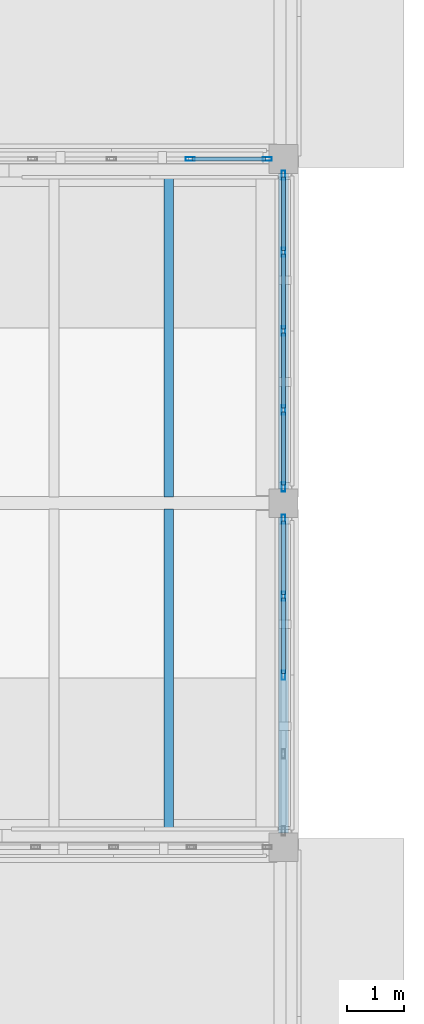
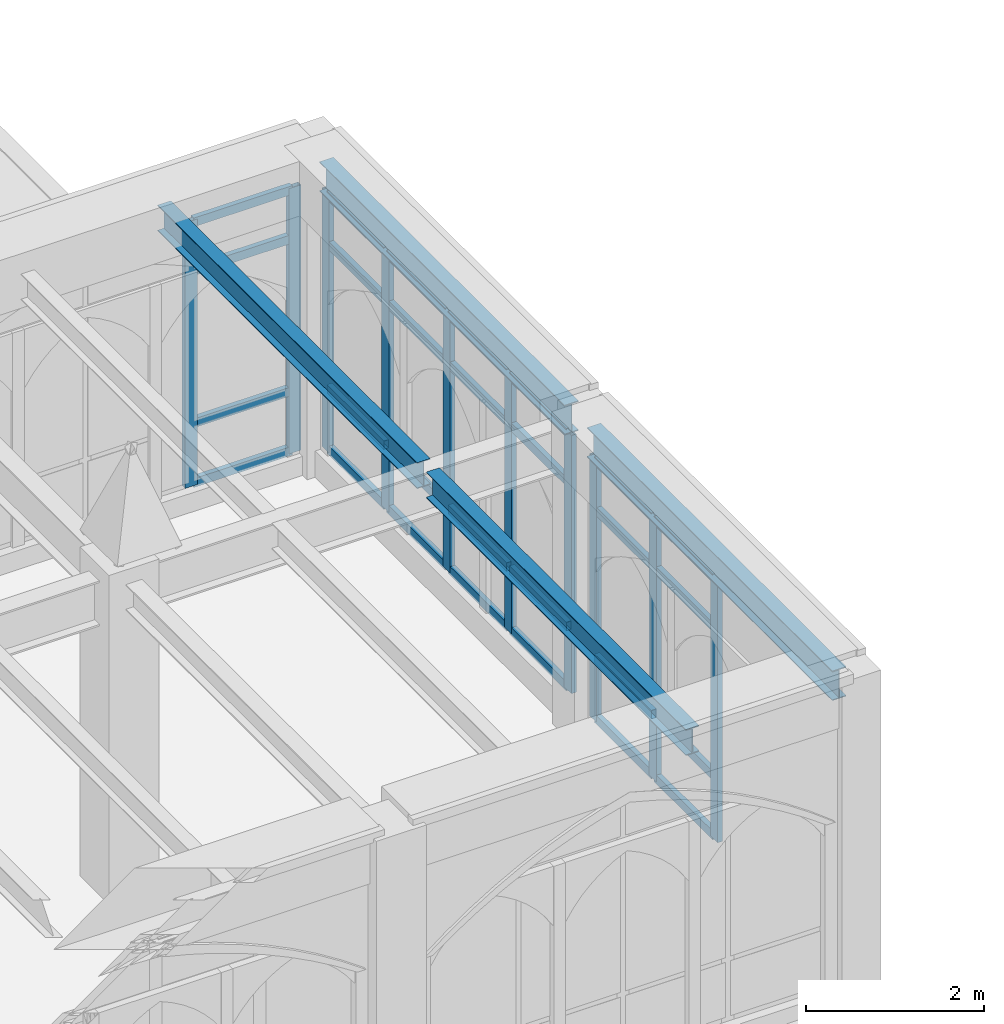
# One storey, part 80 of 143: 38 members, 4 beams, 3 elements without a shape of their own.
"""IFC4 building model written with IfcOpenShell, lengths in metres."""

from ifc_helpers import new_model, si_unit, direction, frame, origin, origin_2d, place, context, subcontext, project, spatial, hollow_rectangle, i_section, extrude, material, layer, layer_set, material_profile, profile_set, type_object, element, aggregate, save


model = new_model("IFC4")

# Units and contexts
model_context = context("Model", 3, precision=1e-05, world=origin(), true_north=direction((0.0, 1.0)))
body_context = subcontext(model_context, "Body", "Model", "MODEL_VIEW")
ifc_project = project(units=[si_unit("LENGTHUNIT", "METRE"), si_unit("AREAUNIT", "SQUARE_METRE"), si_unit("VOLUMEUNIT", "CUBIC_METRE"), si_unit("PLANEANGLEUNIT", "RADIAN"), si_unit("MASSUNIT", "GRAM", prefix="KILO")], contexts=[model_context])

# Site, building, storey
site_placement = place(None, origin())
site = spatial("IfcSite", under=ifc_project, at=site_placement, CompositionType="ELEMENT")
building_placement = place(site_placement, origin())
building = spatial("IfcBuilding", under=site, at=building_placement, Name="Cumevento Cable Car Station", CompositionType="ELEMENT")
storey_placement = place(building_placement, frame((0.0, 0.0, 9.0)))
storey = spatial("IfcBuildingStorey", under=building, at=storey_placement, Name="L03", CompositionType="ELEMENT", Elevation=9.0)

# Curtain wall, members
ifc_material_1 = material(Name="Anodised Bronze Aluminium AW-6063-T6", Category="aluminium")
ifc_layer_1 = layer(ifc_material_1, 0.219970703125)
ifc_layer_set_1 = layer_set([ifc_layer_1], Name="Anodised Bronze Aluminium AW-6063-T6")
curtain_wall_type_1 = type_object("IfcCurtainWallType", Name="Lancet Curtain Wall CW-11 1450", PredefinedType="NOTDEFINED", material=ifc_layer_set_1)
curtain_wall_1_placement = place(storey_placement, origin())
curtain_wall_1 = element("IfcCurtainWall", 1, at=curtain_wall_1_placement, inside=storey, type_object=curtain_wall_type_1, Name="Lancet Curtain Wall CW-11 L03 #138", PredefinedType="NOTDEFINED")
ifc_material_2 = material(Name="Anodised Bronze Aluminium AW-6063-T6", Category="aluminium")
ifc_material_profile_1 = material_profile(ifc_material_2, hollow_rectangle(XDim=0.06494140625, YDim=0.159912109375, WallThickness=0.00390625, at=origin_2d()), Name="ALUM65x160x4")
ifc_profile_set_1 = profile_set([ifc_material_profile_1], Name="Anodised Bronze Aluminium AW-6063-T6")
member_type_1 = type_object("IfcMemberType", Name="Curtain Mullion CWM-01 ALUM65x160x4", PredefinedType="MULLION", material=ifc_profile_set_1)
member_1_placement = place(storey_placement, frame((164.375, 45.0, 0.260009765625), z_axis=(0.0, 0.0, 1.0), x_axis=(0.0, 1.0, 0.0)))
member_1 = element("IfcMember", 2, at=member_1_placement, type_object=member_type_1, Name="CW-11 mullion 4", PredefinedType="MULLION", context=body_context, shape_type="SweptSolid", body=[
    extrude(hollow_rectangle(XDim=0.06494140625, YDim=0.159912109375, WallThickness=0.00390625, at=origin_2d()), origin(), (0.0, 0.0, 1.0), 3.633056640625),
])
member_2_placement = place(storey_placement, frame((165.717529296875, 45.0, 0.260009765625), z_axis=(0.0, 0.0, 1.0), x_axis=(0.0, 1.0, 0.0)))
member_2 = element("IfcMember", 3, at=member_2_placement, type_object=member_type_1, Name="CW-11 mullion 5", PredefinedType="MULLION", context=body_context, shape_type="SweptSolid", body=[
    extrude(hollow_rectangle(XDim=0.06494140625, YDim=0.159912109375, WallThickness=0.00390625, at=origin_2d()), origin(), (0.0, 0.0, 1.0), 3.633056640625),
])

ifc_material_3 = material(Name="Anodised Bronze Aluminium AW-6063-T6", Category="aluminium")
ifc_layer_2 = layer(ifc_material_3, 0.22607421875)
ifc_layer_set_2 = layer_set([ifc_layer_2], Name="Anodised Bronze Aluminium AW-6063-T6")
curtain_wall_type_2 = type_object("IfcCurtainWallType", Name="Lancet Curtain Wall CW-12 1490", PredefinedType="NOTDEFINED", material=ifc_layer_set_2)
curtain_wall_2_placement = place(storey_placement, origin())
curtain_wall_2 = element("IfcCurtainWall", 4, at=curtain_wall_2_placement, inside=storey, type_object=curtain_wall_type_2, Name="Lancet Curtain Wall CW-12 L03 #139", PredefinedType="NOTDEFINED")
member_3_placement = place(storey_placement, frame((166.0, 38.717529296875, 0.31005859375), z_axis=(0.0, 0.0, 1.0), x_axis=(1.0, 0.0, 0.0)))
member_3 = element("IfcMember", 5, at=member_3_placement, type_object=member_type_1, Name="CW-12 mullion 1", PredefinedType="MULLION", context=body_context, shape_type="SweptSolid", body=[
    extrude(hollow_rectangle(XDim=0.06494140625, YDim=0.159912109375, WallThickness=0.00390625, at=origin_2d()), origin(), (0.0, 0.0, 1.0), 3.5830078125),
])
member_4_placement = place(storey_placement, frame((166.0, 37.375, 0.31005859375), z_axis=(0.0, 0.0, 1.0), x_axis=(1.0, 0.0, 0.0)))
member_4 = element("IfcMember", 6, at=member_4_placement, type_object=member_type_1, Name="CW-12 mullion 2", PredefinedType="MULLION", context=body_context, shape_type="SweptSolid", body=[
    extrude(hollow_rectangle(XDim=0.06494140625, YDim=0.159912109375, WallThickness=0.00390625, at=origin_2d()), origin(), (0.0, 0.0, 1.0), 3.5830078125),
])
member_5_placement = place(storey_placement, frame((166.0, 36.0, 0.31005859375), z_axis=(0.0, 0.0, 1.0), x_axis=(1.0, 0.0, 0.0)))
member_5 = element("IfcMember", 7, at=member_5_placement, type_object=member_type_1, Name="CW-12 mullion 3", PredefinedType="MULLION", context=body_context, shape_type="SweptSolid", body=[
    extrude(hollow_rectangle(XDim=0.06494140625, YDim=0.159912109375, WallThickness=0.00390625, at=origin_2d()), origin(), (0.0, 0.0, 1.0), 3.5830078125),
])

ifc_material_4 = material(Name="Anodised Bronze Aluminium AW-6063-T6", Category="aluminium")
ifc_layer_3 = layer(ifc_material_4, 0.23193359375)
ifc_layer_set_3 = layer_set([ifc_layer_3], Name="Anodised Bronze Aluminium AW-6063-T6")
curtain_wall_type_3 = type_object("IfcCurtainWallType", Name="Lancet Curtain Wall CW-13 1530", PredefinedType="NOTDEFINED", material=ifc_layer_set_3)
curtain_wall_3_placement = place(storey_placement, origin())
curtain_wall_3 = element("IfcCurtainWall", 8, at=curtain_wall_3_placement, inside=storey, type_object=curtain_wall_type_3, Name="Lancet Curtain Wall CW-13 L03 #140", PredefinedType="NOTDEFINED")
member_6_placement = place(storey_placement, frame((166.0, 44.717529296875, 0.360107421875), z_axis=(0.0, 0.0, 1.0), x_axis=(1.0, 0.0, 0.0)))
member_6 = element("IfcMember", 9, at=member_6_placement, type_object=member_type_1, Name="CW-13 mullion 1", PredefinedType="MULLION", context=body_context, shape_type="SweptSolid", body=[
    extrude(hollow_rectangle(XDim=0.06494140625, YDim=0.159912109375, WallThickness=0.00390625, at=origin_2d()), origin(), (0.0, 0.0, 1.0), 3.532958984375),
])
member_7_placement = place(storey_placement, frame((166.0, 43.375, 0.360107421875), z_axis=(0.0, 0.0, 1.0), x_axis=(1.0, 0.0, 0.0)))
member_7 = element("IfcMember", 10, at=member_7_placement, type_object=member_type_1, Name="CW-13 mullion 2", PredefinedType="MULLION", context=body_context, shape_type="SweptSolid", body=[
    extrude(hollow_rectangle(XDim=0.06494140625, YDim=0.159912109375, WallThickness=0.00390625, at=origin_2d()), origin(), (0.0, 0.0, 1.0), 3.532958984375),
])
member_8_placement = place(storey_placement, frame((166.0, 42.0, 0.360107421875), z_axis=(0.0, 0.0, 1.0), x_axis=(1.0, 0.0, 0.0)))
member_8 = element("IfcMember", 11, at=member_8_placement, type_object=member_type_1, Name="CW-13 mullion 3", PredefinedType="MULLION", context=body_context, shape_type="SweptSolid", body=[
    extrude(hollow_rectangle(XDim=0.06494140625, YDim=0.159912109375, WallThickness=0.00390625, at=origin_2d()), origin(), (0.0, 0.0, 1.0), 3.532958984375),
])
member_9_placement = place(storey_placement, frame((166.0, 40.625, 0.360107421875), z_axis=(0.0, 0.0, 1.0), x_axis=(1.0, 0.0, 0.0)))
member_9 = element("IfcMember", 12, at=member_9_placement, type_object=member_type_1, Name="CW-13 mullion 4", PredefinedType="MULLION", context=body_context, shape_type="SweptSolid", body=[
    extrude(hollow_rectangle(XDim=0.06494140625, YDim=0.159912109375, WallThickness=0.00390625, at=origin_2d()), origin(), (0.0, 0.0, 1.0), 3.532958984375),
])
member_10_placement = place(storey_placement, frame((166.0, 39.282470703125, 0.360107421875), z_axis=(0.0, 0.0, 1.0), x_axis=(1.0, 0.0, 0.0)))
member_10 = element("IfcMember", 13, at=member_10_placement, type_object=member_type_1, Name="CW-13 mullion 5", PredefinedType="MULLION", context=body_context, shape_type="SweptSolid", body=[
    extrude(hollow_rectangle(XDim=0.06494140625, YDim=0.159912109375, WallThickness=0.00390625, at=origin_2d()), origin(), (0.0, 0.0, 1.0), 3.532958984375),
])

# Member
ifc_material_5 = material(Name="Anodised Bronze Aluminium AW-6063-T6", Category="aluminium")
ifc_material_profile_2 = material_profile(ifc_material_5, hollow_rectangle(XDim=0.06494140625, YDim=0.1201171875, WallThickness=0.00390625, at=origin_2d()), Name="ALUT65x120x4")
ifc_profile_set_2 = profile_set([ifc_material_profile_2], Name="Anodised Bronze Aluminium AW-6063-T6")
member_type_2 = type_object("IfcMemberType", Name="Curtain Transom CWT-01 ALUT65x120x4", PredefinedType="USERDEFINED", material=ifc_profile_set_2)
member_11_placement = place(storey_placement, frame((164.407470703125, 45.0, 0.29248046875), z_axis=(1.0, 0.0, 0.0), x_axis=(0.0, 1.0, 0.0)))
member_11 = element("IfcMember", 14, at=member_11_placement, type_object=member_type_2, Name="CW-11 transom 4.1", ObjectType="TRANSOM", PredefinedType="USERDEFINED", context=body_context, shape_type="SweptSolid", body=[
    extrude(hollow_rectangle(XDim=0.06494140625, YDim=0.1201171875, WallThickness=0.00390625, at=origin_2d()), origin(), (0.0, 0.0, 1.0), 1.277587890625),
])

member_12_placement = place(storey_placement, frame((164.407470703125, 45.0, 1.110107421875), z_axis=(1.0, 0.0, 0.0), x_axis=(0.0, 1.0, 0.0)))
member_12 = element("IfcMember", 15, at=member_12_placement, type_object=member_type_2, Name="CW-11 transom 4.2", ObjectType="TRANSOM", PredefinedType="USERDEFINED", context=body_context, shape_type="SweptSolid", body=[
    extrude(hollow_rectangle(XDim=0.06494140625, YDim=0.1201171875, WallThickness=0.00390625, at=origin_2d()), origin(), (0.0, 0.0, 1.0), 1.277587890625),
])

member_13_placement = place(storey_placement, frame((164.407470703125, 45.0, 3.193115234375), z_axis=(1.0, 0.0, 0.0), x_axis=(0.0, 1.0, 0.0)))
member_13 = element("IfcMember", 16, at=member_13_placement, type_object=member_type_2, Name="CW-11 transom 4.3", ObjectType="TRANSOM", PredefinedType="USERDEFINED", context=body_context, shape_type="SweptSolid", body=[
    extrude(hollow_rectangle(XDim=0.06494140625, YDim=0.1201171875, WallThickness=0.00390625, at=origin_2d()), origin(), (0.0, 0.0, 1.0), 1.277587890625),
])

member_14_placement = place(storey_placement, frame((164.407470703125, 45.0, 3.860595703125), z_axis=(1.0, 0.0, 0.0), x_axis=(0.0, 1.0, 0.0)))
member_14 = element("IfcMember", 17, at=member_14_placement, type_object=member_type_2, Name="CW-11 transom 4.4", ObjectType="TRANSOM", PredefinedType="USERDEFINED", context=body_context, shape_type="SweptSolid", body=[
    extrude(hollow_rectangle(XDim=0.06494140625, YDim=0.1201171875, WallThickness=0.00390625, at=origin_2d()), origin(), (0.0, 0.0, 1.0), 1.277587890625),
])

aggregate(curtain_wall_1, [member_1, member_2, member_11, member_12, member_13, member_14])

member_15_placement = place(storey_placement, frame((166.0, 38.68505859375, 0.342529296875), z_axis=(0.0, -1.0, 0.0), x_axis=(1.0, 0.0, 0.0)))
member_15 = element("IfcMember", 18, at=member_15_placement, type_object=member_type_2, Name="CW-12 transom 1.1", ObjectType="TRANSOM", PredefinedType="USERDEFINED", context=body_context, shape_type="SweptSolid", body=[
    extrude(hollow_rectangle(XDim=0.06494140625, YDim=0.1201171875, WallThickness=0.00390625, at=origin_2d()), origin(), (0.0, 0.0, 1.0), 1.277587890625),
])

member_16_placement = place(storey_placement, frame((166.0, 38.68505859375, 1.159912109375), z_axis=(0.0, -1.0, 0.0), x_axis=(1.0, 0.0, 0.0)))
member_16 = element("IfcMember", 19, at=member_16_placement, type_object=member_type_2, Name="CW-12 transom 1.2", ObjectType="TRANSOM", PredefinedType="USERDEFINED", context=body_context, shape_type="SweptSolid", body=[
    extrude(hollow_rectangle(XDim=0.06494140625, YDim=0.1201171875, WallThickness=0.00390625, at=origin_2d()), origin(), (0.0, 0.0, 1.0), 1.277587890625),
])

member_17_placement = place(storey_placement, frame((166.0, 38.68505859375, 3.193115234375), z_axis=(0.0, -1.0, 0.0), x_axis=(1.0, 0.0, 0.0)))
member_17 = element("IfcMember", 20, at=member_17_placement, type_object=member_type_2, Name="CW-12 transom 1.3", ObjectType="TRANSOM", PredefinedType="USERDEFINED", context=body_context, shape_type="SweptSolid", body=[
    extrude(hollow_rectangle(XDim=0.06494140625, YDim=0.1201171875, WallThickness=0.00390625, at=origin_2d()), origin(), (0.0, 0.0, 1.0), 1.277587890625),
])

member_18_placement = place(storey_placement, frame((166.0, 38.68505859375, 3.860595703125), z_axis=(0.0, -1.0, 0.0), x_axis=(1.0, 0.0, 0.0)))
member_18 = element("IfcMember", 21, at=member_18_placement, type_object=member_type_2, Name="CW-12 transom 1.4", ObjectType="TRANSOM", PredefinedType="USERDEFINED", context=body_context, shape_type="SweptSolid", body=[
    extrude(hollow_rectangle(XDim=0.06494140625, YDim=0.1201171875, WallThickness=0.00390625, at=origin_2d()), origin(), (0.0, 0.0, 1.0), 1.277587890625),
])

member_19_placement = place(storey_placement, frame((166.0, 37.342529296875, 0.342529296875), z_axis=(0.0, -1.0, 0.0), x_axis=(1.0, 0.0, 0.0)))
member_19 = element("IfcMember", 22, at=member_19_placement, type_object=member_type_2, Name="CW-12 transom 2.1", ObjectType="TRANSOM", PredefinedType="USERDEFINED", context=body_context, shape_type="SweptSolid", body=[
    extrude(hollow_rectangle(XDim=0.06494140625, YDim=0.1201171875, WallThickness=0.00390625, at=origin_2d()), origin(), (0.0, 0.0, 1.0), 1.31005859375),
])

member_20_placement = place(storey_placement, frame((166.0, 37.342529296875, 1.159912109375), z_axis=(0.0, -1.0, 0.0), x_axis=(1.0, 0.0, 0.0)))
member_20 = element("IfcMember", 23, at=member_20_placement, type_object=member_type_2, Name="CW-12 transom 2.2", ObjectType="TRANSOM", PredefinedType="USERDEFINED", context=body_context, shape_type="SweptSolid", body=[
    extrude(hollow_rectangle(XDim=0.06494140625, YDim=0.1201171875, WallThickness=0.00390625, at=origin_2d()), origin(), (0.0, 0.0, 1.0), 1.31005859375),
])

member_21_placement = place(storey_placement, frame((166.0, 37.342529296875, 3.193115234375), z_axis=(0.0, -1.0, 0.0), x_axis=(1.0, 0.0, 0.0)))
member_21 = element("IfcMember", 24, at=member_21_placement, type_object=member_type_2, Name="CW-12 transom 2.3", ObjectType="TRANSOM", PredefinedType="USERDEFINED", context=body_context, shape_type="SweptSolid", body=[
    extrude(hollow_rectangle(XDim=0.06494140625, YDim=0.1201171875, WallThickness=0.00390625, at=origin_2d()), origin(), (0.0, 0.0, 1.0), 1.31005859375),
])

member_22_placement = place(storey_placement, frame((166.0, 37.342529296875, 3.860595703125), z_axis=(0.0, -1.0, 0.0), x_axis=(1.0, 0.0, 0.0)))
member_22 = element("IfcMember", 25, at=member_22_placement, type_object=member_type_2, Name="CW-12 transom 2.4", ObjectType="TRANSOM", PredefinedType="USERDEFINED", context=body_context, shape_type="SweptSolid", body=[
    extrude(hollow_rectangle(XDim=0.06494140625, YDim=0.1201171875, WallThickness=0.00390625, at=origin_2d()), origin(), (0.0, 0.0, 1.0), 1.31005859375),
])

aggregate(curtain_wall_2, [member_3, member_4, member_5, member_15, member_16, member_17, member_18, member_19, member_20, member_21, member_22])

member_23_placement = place(storey_placement, frame((166.0, 44.68505859375, 0.392578125), z_axis=(0.0, -1.0, 0.0), x_axis=(1.0, 0.0, 0.0)))
member_23 = element("IfcMember", 26, at=member_23_placement, type_object=member_type_2, Name="CW-13 transom 1.1", ObjectType="TRANSOM", PredefinedType="USERDEFINED", context=body_context, shape_type="SweptSolid", body=[
    extrude(hollow_rectangle(XDim=0.06494140625, YDim=0.1201171875, WallThickness=0.00390625, at=origin_2d()), origin(), (0.0, 0.0, 1.0), 1.277587890625),
])

member_24_placement = place(storey_placement, frame((166.0, 44.68505859375, 1.2099609375), z_axis=(0.0, -1.0, 0.0), x_axis=(1.0, 0.0, 0.0)))
member_24 = element("IfcMember", 27, at=member_24_placement, type_object=member_type_2, Name="CW-13 transom 1.2", ObjectType="TRANSOM", PredefinedType="USERDEFINED", context=body_context, shape_type="SweptSolid", body=[
    extrude(hollow_rectangle(XDim=0.06494140625, YDim=0.1201171875, WallThickness=0.00390625, at=origin_2d()), origin(), (0.0, 0.0, 1.0), 1.277587890625),
])

member_25_placement = place(storey_placement, frame((166.0, 44.68505859375, 3.193115234375), z_axis=(0.0, -1.0, 0.0), x_axis=(1.0, 0.0, 0.0)))
member_25 = element("IfcMember", 28, at=member_25_placement, type_object=member_type_2, Name="CW-13 transom 1.3", ObjectType="TRANSOM", PredefinedType="USERDEFINED", context=body_context, shape_type="SweptSolid", body=[
    extrude(hollow_rectangle(XDim=0.06494140625, YDim=0.1201171875, WallThickness=0.00390625, at=origin_2d()), origin(), (0.0, 0.0, 1.0), 1.277587890625),
])

member_26_placement = place(storey_placement, frame((166.0, 44.68505859375, 3.860595703125), z_axis=(0.0, -1.0, 0.0), x_axis=(1.0, 0.0, 0.0)))
member_26 = element("IfcMember", 29, at=member_26_placement, type_object=member_type_2, Name="CW-13 transom 1.4", ObjectType="TRANSOM", PredefinedType="USERDEFINED", context=body_context, shape_type="SweptSolid", body=[
    extrude(hollow_rectangle(XDim=0.06494140625, YDim=0.1201171875, WallThickness=0.00390625, at=origin_2d()), origin(), (0.0, 0.0, 1.0), 1.277587890625),
])

member_27_placement = place(storey_placement, frame((166.0, 43.342529296875, 0.392578125), z_axis=(0.0, -1.0, 0.0), x_axis=(1.0, 0.0, 0.0)))
member_27 = element("IfcMember", 30, at=member_27_placement, type_object=member_type_2, Name="CW-13 transom 2.1", ObjectType="TRANSOM", PredefinedType="USERDEFINED", context=body_context, shape_type="SweptSolid", body=[
    extrude(hollow_rectangle(XDim=0.06494140625, YDim=0.1201171875, WallThickness=0.00390625, at=origin_2d()), origin(), (0.0, 0.0, 1.0), 1.31005859375),
])

member_28_placement = place(storey_placement, frame((166.0, 43.342529296875, 1.2099609375), z_axis=(0.0, -1.0, 0.0), x_axis=(1.0, 0.0, 0.0)))
member_28 = element("IfcMember", 31, at=member_28_placement, type_object=member_type_2, Name="CW-13 transom 2.2", ObjectType="TRANSOM", PredefinedType="USERDEFINED", context=body_context, shape_type="SweptSolid", body=[
    extrude(hollow_rectangle(XDim=0.06494140625, YDim=0.1201171875, WallThickness=0.00390625, at=origin_2d()), origin(), (0.0, 0.0, 1.0), 1.31005859375),
])

member_29_placement = place(storey_placement, frame((166.0, 43.342529296875, 3.193115234375), z_axis=(0.0, -1.0, 0.0), x_axis=(1.0, 0.0, 0.0)))
member_29 = element("IfcMember", 32, at=member_29_placement, type_object=member_type_2, Name="CW-13 transom 2.3", ObjectType="TRANSOM", PredefinedType="USERDEFINED", context=body_context, shape_type="SweptSolid", body=[
    extrude(hollow_rectangle(XDim=0.06494140625, YDim=0.1201171875, WallThickness=0.00390625, at=origin_2d()), origin(), (0.0, 0.0, 1.0), 1.31005859375),
])

member_30_placement = place(storey_placement, frame((166.0, 43.342529296875, 3.860595703125), z_axis=(0.0, -1.0, 0.0), x_axis=(1.0, 0.0, 0.0)))
member_30 = element("IfcMember", 33, at=member_30_placement, type_object=member_type_2, Name="CW-13 transom 2.4", ObjectType="TRANSOM", PredefinedType="USERDEFINED", context=body_context, shape_type="SweptSolid", body=[
    extrude(hollow_rectangle(XDim=0.06494140625, YDim=0.1201171875, WallThickness=0.00390625, at=origin_2d()), origin(), (0.0, 0.0, 1.0), 1.31005859375),
])

member_31_placement = place(storey_placement, frame((166.0, 41.967529296875, 0.392578125), z_axis=(0.0, -1.0, 0.0), x_axis=(1.0, 0.0, 0.0)))
member_31 = element("IfcMember", 34, at=member_31_placement, type_object=member_type_2, Name="CW-13 transom 3.1", ObjectType="TRANSOM", PredefinedType="USERDEFINED", context=body_context, shape_type="SweptSolid", body=[
    extrude(hollow_rectangle(XDim=0.06494140625, YDim=0.1201171875, WallThickness=0.00390625, at=origin_2d()), origin(), (0.0, 0.0, 1.0), 1.31005859375),
])

member_32_placement = place(storey_placement, frame((166.0, 41.967529296875, 1.2099609375), z_axis=(0.0, -1.0, 0.0), x_axis=(1.0, 0.0, 0.0)))
member_32 = element("IfcMember", 35, at=member_32_placement, type_object=member_type_2, Name="CW-13 transom 3.2", ObjectType="TRANSOM", PredefinedType="USERDEFINED", context=body_context, shape_type="SweptSolid", body=[
    extrude(hollow_rectangle(XDim=0.06494140625, YDim=0.1201171875, WallThickness=0.00390625, at=origin_2d()), origin(), (0.0, 0.0, 1.0), 1.31005859375),
])

member_33_placement = place(storey_placement, frame((166.0, 41.967529296875, 3.193115234375), z_axis=(0.0, -1.0, 0.0), x_axis=(1.0, 0.0, 0.0)))
member_33 = element("IfcMember", 36, at=member_33_placement, type_object=member_type_2, Name="CW-13 transom 3.3", ObjectType="TRANSOM", PredefinedType="USERDEFINED", context=body_context, shape_type="SweptSolid", body=[
    extrude(hollow_rectangle(XDim=0.06494140625, YDim=0.1201171875, WallThickness=0.00390625, at=origin_2d()), origin(), (0.0, 0.0, 1.0), 1.31005859375),
])

member_34_placement = place(storey_placement, frame((166.0, 41.967529296875, 3.860595703125), z_axis=(0.0, -1.0, 0.0), x_axis=(1.0, 0.0, 0.0)))
member_34 = element("IfcMember", 37, at=member_34_placement, type_object=member_type_2, Name="CW-13 transom 3.4", ObjectType="TRANSOM", PredefinedType="USERDEFINED", context=body_context, shape_type="SweptSolid", body=[
    extrude(hollow_rectangle(XDim=0.06494140625, YDim=0.1201171875, WallThickness=0.00390625, at=origin_2d()), origin(), (0.0, 0.0, 1.0), 1.31005859375),
])

member_35_placement = place(storey_placement, frame((166.0, 40.592529296875, 0.392578125), z_axis=(0.0, -1.0, 0.0), x_axis=(1.0, 0.0, 0.0)))
member_35 = element("IfcMember", 38, at=member_35_placement, type_object=member_type_2, Name="CW-13 transom 4.1", ObjectType="TRANSOM", PredefinedType="USERDEFINED", context=body_context, shape_type="SweptSolid", body=[
    extrude(hollow_rectangle(XDim=0.06494140625, YDim=0.1201171875, WallThickness=0.00390625, at=origin_2d()), origin(), (0.0, 0.0, 1.0), 1.277587890625),
])

member_36_placement = place(storey_placement, frame((166.0, 40.592529296875, 1.2099609375), z_axis=(0.0, -1.0, 0.0), x_axis=(1.0, 0.0, 0.0)))
member_36 = element("IfcMember", 39, at=member_36_placement, type_object=member_type_2, Name="CW-13 transom 4.2", ObjectType="TRANSOM", PredefinedType="USERDEFINED", context=body_context, shape_type="SweptSolid", body=[
    extrude(hollow_rectangle(XDim=0.06494140625, YDim=0.1201171875, WallThickness=0.00390625, at=origin_2d()), origin(), (0.0, 0.0, 1.0), 1.277587890625),
])

member_37_placement = place(storey_placement, frame((166.0, 40.592529296875, 3.193115234375), z_axis=(0.0, -1.0, 0.0), x_axis=(1.0, 0.0, 0.0)))
member_37 = element("IfcMember", 40, at=member_37_placement, type_object=member_type_2, Name="CW-13 transom 4.3", ObjectType="TRANSOM", PredefinedType="USERDEFINED", context=body_context, shape_type="SweptSolid", body=[
    extrude(hollow_rectangle(XDim=0.06494140625, YDim=0.1201171875, WallThickness=0.00390625, at=origin_2d()), origin(), (0.0, 0.0, 1.0), 1.277587890625),
])

member_38_placement = place(storey_placement, frame((166.0, 40.592529296875, 3.860595703125), z_axis=(0.0, -1.0, 0.0), x_axis=(1.0, 0.0, 0.0)))
member_38 = element("IfcMember", 41, at=member_38_placement, type_object=member_type_2, Name="CW-13 transom 4.4", ObjectType="TRANSOM", PredefinedType="USERDEFINED", context=body_context, shape_type="SweptSolid", body=[
    extrude(hollow_rectangle(XDim=0.06494140625, YDim=0.1201171875, WallThickness=0.00390625, at=origin_2d()), origin(), (0.0, 0.0, 1.0), 1.277587890625),
])

aggregate(curtain_wall_3, [member_6, member_7, member_8, member_9, member_10, member_23, member_24, member_25, member_26, member_27, member_28, member_29, member_30, member_31, member_32, member_33, member_34, member_35, member_36, member_37, member_38])

# Beams
ifc_material_6 = material(Name="Steel ASTM A572 Grade 50", Category="steel")
ifc_material_profile_3 = material_profile(ifc_material_6, i_section(OverallWidth=0.1708984375, OverallDepth=0.35498046875, WebThickness=0.007080078125, FlangeThickness=0.01171875, at=origin_2d()), Name="W360x51.0")
ifc_profile_set_3 = profile_set([ifc_material_profile_3], Name="Steel ASTM A572 Grade 50")
beam_type_1 = type_object("IfcBeamType", Name="Structural Joist JS-01 W360x51.0", PredefinedType="JOIST", material=ifc_profile_set_3)
for number, where, z_axis, x_axis, name in (
    (42, (164.0, 33.076904296875, 4.12255859375), (0.0, 1.0, 0.0), (-1.0, 0.0, 0.0), "Composite Floor Joist JS-01 L03 #1331"),
    (43, (164.0, 39.10302734375, 4.12255859375), (0.0, 1.0, 0.0), (-1.0, 0.0, 0.0), "Composite Floor Joist JS-01 L03 #1332"),
):
    element("IfcBeam", number, at=place(storey_placement, frame(where, z_axis=z_axis, x_axis=x_axis)), inside=storey, type_object=beam_type_1, Name=name, PredefinedType="JOIST", context=body_context, shape_type="SweptSolid", body=[
        extrude(i_section(OverallWidth=0.1708984375, OverallDepth=0.35498046875, WebThickness=0.007080078125, FlangeThickness=0.01171875, at=origin_2d()), origin(), (0.0, 0.0, 1.0), 5.820068359375),
    ])
ifc_material_7 = material(Name="Steel ASTM A572 Grade 50", Category="steel")
ifc_material_profile_4 = material_profile(ifc_material_7, i_section(OverallWidth=0.177978515625, OverallDepth=0.406982421875, WebThickness=0.0078125, FlangeThickness=0.0126953125, at=origin_2d()), Name="W410x60.0")
ifc_profile_set_4 = profile_set([ifc_material_profile_4], Name="Steel ASTM A572 Grade 50")
beam_type_2 = type_object("IfcBeamType", Name="Structural Spandrel SP-01 W410x60.0", PredefinedType="SPANDREL", material=ifc_profile_set_4)
for number, where, z_axis, x_axis, name in (
    (44, (166.0, 33.25, 4.096435546875), (0.0, 1.0, 0.0), (-1.0, 0.0, 0.0), "Beam SP-01 L03 #1187"),
    (45, (166.0, 39.25, 4.096435546875), (0.0, 1.0, 0.0), (-1.0, 0.0, 0.0), "Beam SP-01 L03 #1188"),
):
    element("IfcBeam", number, at=place(storey_placement, frame(where, z_axis=z_axis, x_axis=x_axis)), inside=storey, type_object=beam_type_2, Name=name, PredefinedType="SPANDREL", context=body_context, shape_type="SweptSolid", body=[
        extrude(i_section(OverallWidth=0.177978515625, OverallDepth=0.406982421875, WebThickness=0.0078125, FlangeThickness=0.0126953125, at=origin_2d()), origin(), (0.0, 0.0, 1.0), 5.5),
    ])

save(model, "model.ifc")
